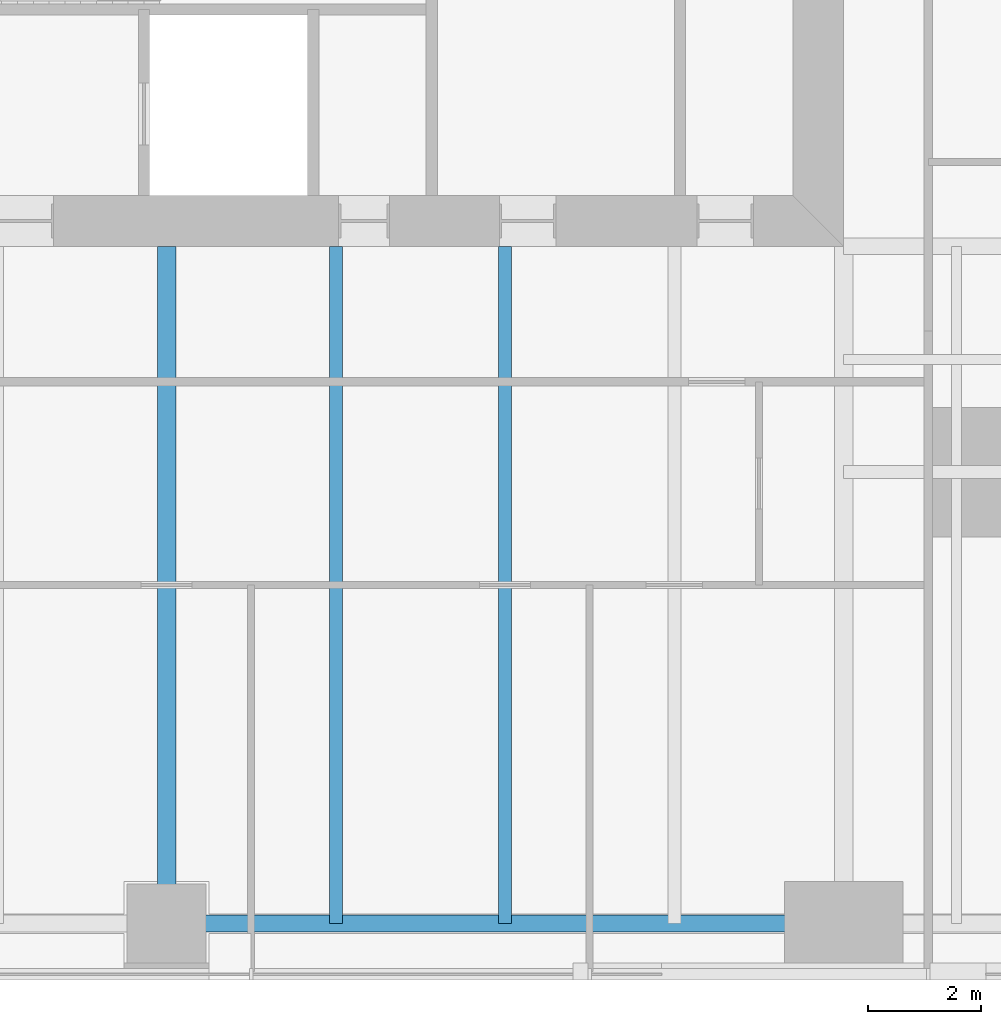
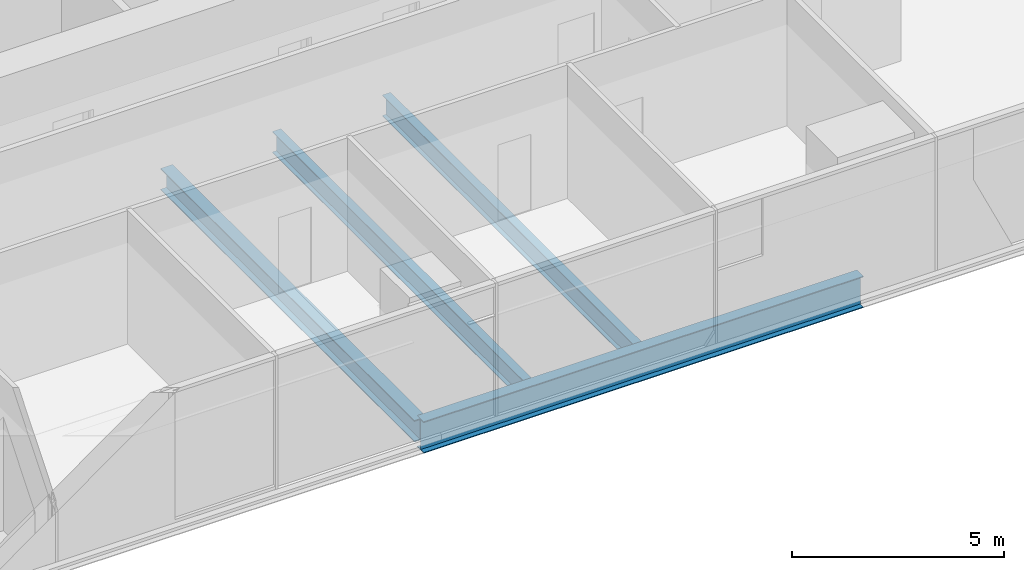
# One storey, part 3 of 13: 4 beams.
"""IFC4 building model written with IfcOpenShell, lengths in metres."""

from ifc_helpers import new_model, si_unit, direction, frame, origin, origin_2d, place, context, subcontext, project, spatial, i_section, extrude, material, material_profile, profile_set, type_object, element, save


model = new_model("IFC4")

# Units and contexts
model_context = context("Model", 3, precision=1e-05, world=origin(), true_north=direction((0.0, 1.0)))
body_context = subcontext(model_context, "Body", "Model", "MODEL_VIEW")
ifc_project = project(units=[si_unit("LENGTHUNIT", "METRE"), si_unit("AREAUNIT", "SQUARE_METRE"), si_unit("VOLUMEUNIT", "CUBIC_METRE"), si_unit("PLANEANGLEUNIT", "RADIAN"), si_unit("MASSUNIT", "GRAM", prefix="KILO")], contexts=[model_context])

# Site, building, storey
site_placement = place(None, origin())
site = spatial("IfcSite", under=ifc_project, at=site_placement, CompositionType="ELEMENT")
building_placement = place(site_placement, origin())
building = spatial("IfcBuilding", under=site, at=building_placement, Name="Fenwick Lantern Interchange", CompositionType="ELEMENT")
storey_placement = place(building_placement, frame((0.0, 0.0, 126.39990234375)))
storey = spatial("IfcBuildingStorey", under=building, at=storey_placement, Name="L29", CompositionType="ELEMENT", Elevation=126.39990234375)

# Beams
ifc_material = material(Name="Steel ASTM A992 Grade 50", Category="steel")
ifc_material_profile_1 = material_profile(ifc_material, i_section(OverallWidth=0.3046875, OverallDepth=0.911865234375, WebThickness=0.015869140625, FlangeThickness=0.02392578125, at=origin_2d()), Name="W36X150")
ifc_profile_set_1 = profile_set([ifc_material_profile_1], Name="Steel ASTM A992 Grade 50")
beam_type_1 = type_object("IfcBeamType", Name="EDGE BEAM W36X150", PredefinedType="SPANDREL", material=ifc_profile_set_1)
beam_1_placement = place(storey_placement, frame((25.0, 1.0, -0.605712890625), z_axis=(1.0, 0.0, 0.0), x_axis=(0.0, 1.0, 0.0)))
element("IfcBeam", 1, at=beam_1_placement, inside=storey, type_object=beam_type_1, Name="L29/FR/S/EB3", PredefinedType="SPANDREL", context=body_context, shape_type="SweptSolid", body=[
    extrude(i_section(OverallWidth=0.3046875, OverallDepth=0.911865234375, WebThickness=0.015869140625, FlangeThickness=0.02392578125, at=origin_2d()), origin(), (0.0, 0.0, 1.0), 12.0),
])
ifc_material_profile_2 = material_profile(ifc_material, i_section(OverallWidth=0.22900390625, OverallDepth=0.612060546875, WebThickness=0.011962890625, FlangeThickness=0.01953125, at=origin_2d()), Name="W24X84")
ifc_profile_set_2 = profile_set([ifc_material_profile_2], Name="Steel ASTM A992 Grade 50")
beam_type_2 = type_object("IfcBeamType", Name="FLOOR BEAM W24X84", PredefinedType="BEAM", material=ifc_profile_set_2)
for number, where, z_axis, x_axis, name in (
    (2, (28.0, 1.0, -0.4560546875), (0.0, 1.0, 0.0), (-1.0, 0.0, 0.0), "L29/FR/S/R06"),
    (3, (31.0, 1.0, -0.4560546875), (0.0, 1.0, 0.0), (-1.0, 0.0, 0.0), "L29/FR/S/R07"),
):
    element("IfcBeam", number, at=place(storey_placement, frame(where, z_axis=z_axis, x_axis=x_axis)), inside=storey, type_object=beam_type_2, Name=name, PredefinedType="BEAM", context=body_context, shape_type="SweptSolid", body=[
        extrude(i_section(OverallWidth=0.22900390625, OverallDepth=0.612060546875, WebThickness=0.011962890625, FlangeThickness=0.01953125, at=origin_2d()), origin(), (0.0, 0.0, 1.0), 12.0),
    ])
ifc_material_profile_3 = material_profile(ifc_material, i_section(OverallWidth=0.32763671875, OverallDepth=0.622314453125, WebThickness=0.015380859375, FlangeThickness=0.0244140625, at=origin_2d()), Name="W24X131")
ifc_profile_set_3 = profile_set([ifc_material_profile_3], Name="Steel ASTM A992 Grade 50")
beam_type_3 = type_object("IfcBeamType", Name="MOMENT-CONNECTED GIRDER W24X131", PredefinedType="BEAM", material=ifc_profile_set_3)
beam_2_placement = place(storey_placement, frame((25.0, 1.0, -0.4609375), z_axis=(0.0, 1.0, 0.0), x_axis=(-1.0, 0.0, 0.0)))
element("IfcBeam", 4, at=beam_2_placement, inside=storey, type_object=beam_type_3, Name="L29/FR/S/R05", PredefinedType="BEAM", context=body_context, shape_type="SweptSolid", body=[
    extrude(i_section(OverallWidth=0.32763671875, OverallDepth=0.622314453125, WebThickness=0.015380859375, FlangeThickness=0.0244140625, at=origin_2d()), origin(), (0.0, 0.0, 1.0), 12.0),
])

save(model, "model.ifc")
